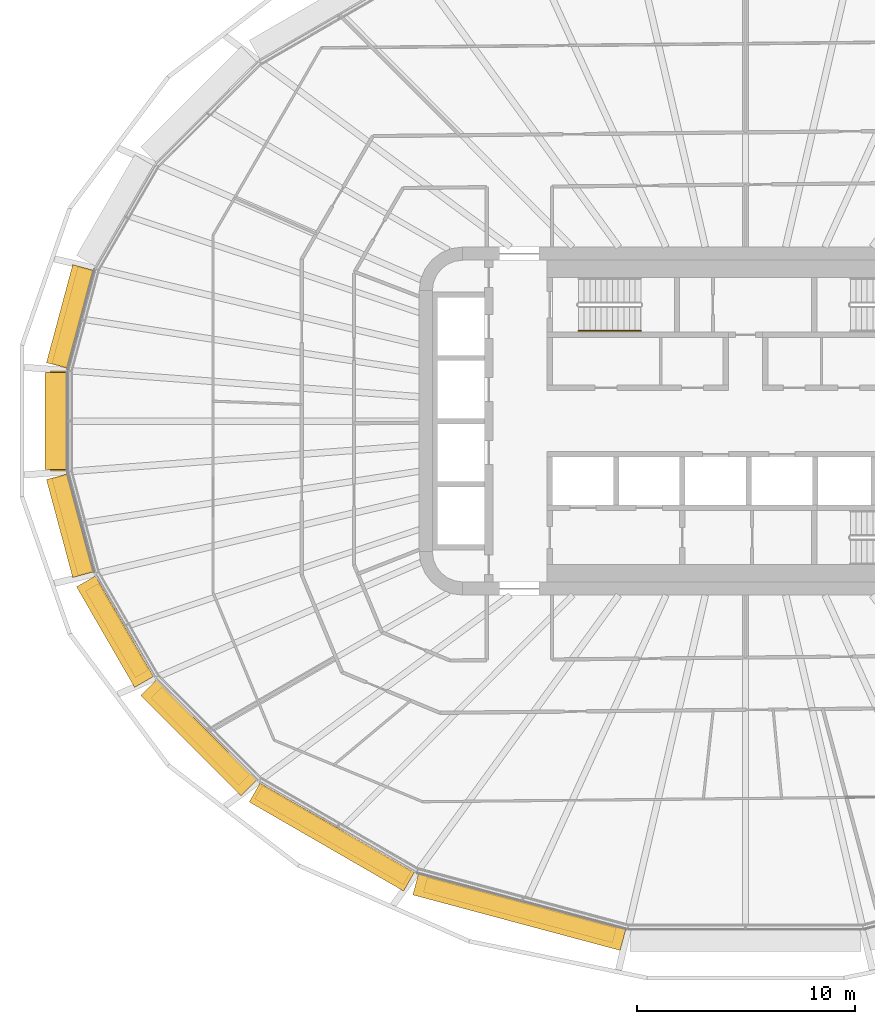
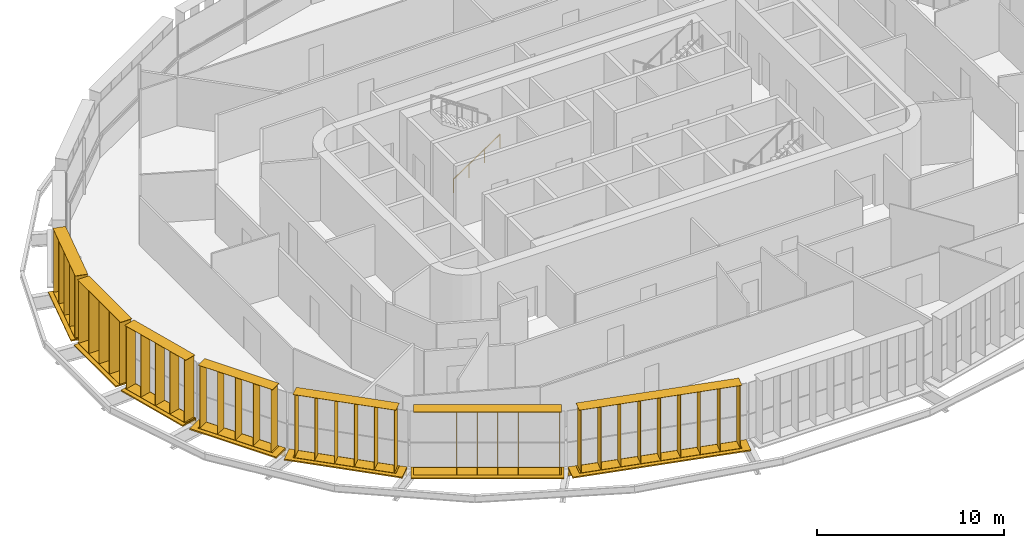
# One storey, part 19 of 24: 14 shading devices, 1 railing.
"""IFC4 building model written with IfcOpenShell, lengths in metres."""

from ifc_helpers import new_model, si_unit, direction, frame, origin, origin_2d, place, context, subcontext, project, spatial, rectangle, circle, extrude, material, type_object, element, save


model = new_model("IFC4")

# Units and contexts
model_context = context("Model", 3, precision=1e-05, world=origin(), true_north=direction((0.0, 1.0)))
body_context = subcontext(model_context, "Body", "Model", "MODEL_VIEW")
ifc_project = project(units=[si_unit("LENGTHUNIT", "METRE"), si_unit("AREAUNIT", "SQUARE_METRE"), si_unit("VOLUMEUNIT", "CUBIC_METRE"), si_unit("PLANEANGLEUNIT", "RADIAN"), si_unit("MASSUNIT", "GRAM", prefix="KILO")], contexts=[model_context])

# Site, building, storey
site_placement = place(None, origin())
site = spatial("IfcSite", under=ifc_project, at=site_placement, CompositionType="ELEMENT")
building_placement = place(site_placement, origin())
building = spatial("IfcBuilding", under=site, at=building_placement, Name="Sahrelin Media Tower", CompositionType="ELEMENT")
storey_placement = place(building_placement, frame((0.0, 0.0, 71.39990234375)))
storey = spatial("IfcBuildingStorey", under=building, at=storey_placement, Name="L12", CompositionType="ELEMENT", Elevation=71.39990234375)

# Shading devices
ifc_material_1 = material(Name="Champagne anodised aluminium 6063-T6", Category="aluminium")
shading_device_type_1 = type_object("IfcShadingDeviceType", Name="Fin cassette", PredefinedType="USERDEFINED", material=ifc_material_1)
placement_1 = place(storey_placement, frame((-30.54736328125, 4.67333984375, 0.0), z_axis=(0.0, 0.0, 1.0), x_axis=(0.258807731996, 0.965928857556, 0.0)))
element("IfcShadingDevice", 1, at=placement_1, inside=storey, type_object=shading_device_type_1, Name="L12:FIN:L12-11", ObjectType="FIN", PredefinedType="USERDEFINED", context=body_context, shape_type="SweptSolid", body=[
    extrude(rectangle(XDim=4.60009765625, YDim=0.699951171875, at=origin_2d()), frame((0.0, 0.419921875, 0.0)), (0.0, 0.0, 1.0), 0.02001953125),
    extrude(rectangle(XDim=4.60009765625, YDim=0.699951171875, at=origin_2d()), frame((0.0, 0.419921875, 4.10009765625)), (0.0, 0.0, 1.0), 0.02001953125),
    extrude(rectangle(XDim=0.02001953125, YDim=0.699951171875, at=origin_2d()), frame((-2.199951171875, 0.419921875, 0.010009765625), z_axis=(0.0, 0.0, 1.0), x_axis=(1.0, 0.0, 0.0)), (0.0, 0.0, 1.0), 4.10009765625),
    extrude(rectangle(XDim=0.02001953125, YDim=0.699951171875, at=origin_2d()), frame((-1.10009765625, 0.419921875, 0.010009765625), z_axis=(0.0, 0.0, 1.0), x_axis=(1.0, 0.0, 0.0)), (0.0, 0.0, 1.0), 4.10009765625),
    extrude(rectangle(XDim=0.02001953125, YDim=0.699951171875, at=origin_2d()), frame((0.0, 0.419921875, 0.010009765625), z_axis=(0.0, 0.0, 1.0), x_axis=(1.0, 0.0, 0.0)), (0.0, 0.0, 1.0), 4.10009765625),
    extrude(rectangle(XDim=0.02001953125, YDim=0.699951171875, at=origin_2d()), frame((1.10009765625, 0.419921875, 0.010009765625), z_axis=(0.0, 0.0, 1.0), x_axis=(1.0, 0.0, 0.0)), (0.0, 0.0, 1.0), 4.10009765625),
    extrude(rectangle(XDim=0.02001953125, YDim=0.699951171875, at=origin_2d()), frame((2.199951171875, 0.419921875, 0.010009765625), z_axis=(0.0, 0.0, 1.0), x_axis=(1.0, 0.0, 0.0)), (0.0, 0.0, 1.0), 4.10009765625),
])
placement_2 = place(storey_placement, frame((-31.1767578125, 0.0, 0.0), z_axis=(0.0, 0.0, 1.0), x_axis=(0.0, 1.0, 0.0)))
element("IfcShadingDevice", 2, at=placement_2, inside=storey, type_object=shading_device_type_1, Name="L12:FIN:L12-12", ObjectType="FIN", PredefinedType="USERDEFINED", context=body_context, shape_type="SweptSolid", body=[
    extrude(rectangle(XDim=4.60009765625, YDim=0.699951171875, at=origin_2d()), frame((0.0, 0.419921875, 0.0)), (0.0, 0.0, 1.0), 0.02001953125),
    extrude(rectangle(XDim=4.60009765625, YDim=0.699951171875, at=origin_2d()), frame((0.0, 0.419921875, 4.10009765625)), (0.0, 0.0, 1.0), 0.02001953125),
    extrude(rectangle(XDim=0.02001953125, YDim=0.699951171875, at=origin_2d()), frame((-2.199951171875, 0.419921875, 0.010009765625), z_axis=(0.0, 0.0, 1.0), x_axis=(1.0, 0.0, 0.0)), (0.0, 0.0, 1.0), 4.10009765625),
    extrude(rectangle(XDim=0.02001953125, YDim=0.699951171875, at=origin_2d()), frame((-1.10009765625, 0.419921875, 0.010009765625), z_axis=(0.0, 0.0, 1.0), x_axis=(1.0, 0.0, 0.0)), (0.0, 0.0, 1.0), 4.10009765625),
    extrude(rectangle(XDim=0.02001953125, YDim=0.699951171875, at=origin_2d()), frame((0.0, 0.419921875, 0.010009765625), z_axis=(0.0, 0.0, 1.0), x_axis=(1.0, 0.0, 0.0)), (0.0, 0.0, 1.0), 4.10009765625),
    extrude(rectangle(XDim=0.02001953125, YDim=0.699951171875, at=origin_2d()), frame((1.10009765625, 0.419921875, 0.010009765625), z_axis=(0.0, 0.0, 1.0), x_axis=(1.0, 0.0, 0.0)), (0.0, 0.0, 1.0), 4.10009765625),
    extrude(rectangle(XDim=0.02001953125, YDim=0.699951171875, at=origin_2d()), frame((2.199951171875, 0.419921875, 0.010009765625), z_axis=(0.0, 0.0, 1.0), x_axis=(1.0, 0.0, 0.0)), (0.0, 0.0, 1.0), 4.10009765625),
])
placement_3 = place(storey_placement, frame((-30.54736328125, -4.67333984375, 0.0), z_axis=(0.0, 0.0, 1.0), x_axis=(-0.258807731996, 0.965928857556, 0.0)))
element("IfcShadingDevice", 3, at=placement_3, inside=storey, type_object=shading_device_type_1, Name="L12:FIN:L12-13", ObjectType="FIN", PredefinedType="USERDEFINED", context=body_context, shape_type="SweptSolid", body=[
    extrude(rectangle(XDim=4.60009765625, YDim=0.699951171875, at=origin_2d()), frame((0.0, 0.419921875, 0.0)), (0.0, 0.0, 1.0), 0.02001953125),
    extrude(rectangle(XDim=4.60009765625, YDim=0.699951171875, at=origin_2d()), frame((0.0, 0.419921875, 4.10009765625)), (0.0, 0.0, 1.0), 0.02001953125),
    extrude(rectangle(XDim=0.02001953125, YDim=0.699951171875, at=origin_2d()), frame((-2.199951171875, 0.419921875, 0.010009765625), z_axis=(0.0, 0.0, 1.0), x_axis=(1.0, 0.0, 0.0)), (0.0, 0.0, 1.0), 4.10009765625),
    extrude(rectangle(XDim=0.02001953125, YDim=0.699951171875, at=origin_2d()), frame((-1.10009765625, 0.419921875, 0.010009765625), z_axis=(0.0, 0.0, 1.0), x_axis=(1.0, 0.0, 0.0)), (0.0, 0.0, 1.0), 4.10009765625),
    extrude(rectangle(XDim=0.02001953125, YDim=0.699951171875, at=origin_2d()), frame((0.0, 0.419921875, 0.010009765625), z_axis=(0.0, 0.0, 1.0), x_axis=(1.0, 0.0, 0.0)), (0.0, 0.0, 1.0), 4.10009765625),
    extrude(rectangle(XDim=0.02001953125, YDim=0.699951171875, at=origin_2d()), frame((1.10009765625, 0.419921875, 0.010009765625), z_axis=(0.0, 0.0, 1.0), x_axis=(1.0, 0.0, 0.0)), (0.0, 0.0, 1.0), 4.10009765625),
    extrude(rectangle(XDim=0.02001953125, YDim=0.699951171875, at=origin_2d()), frame((2.199951171875, 0.419921875, 0.010009765625), z_axis=(0.0, 0.0, 1.0), x_axis=(1.0, 0.0, 0.0)), (0.0, 0.0, 1.0), 4.10009765625),
])
placement_4 = place(storey_placement, frame((-28.5341796875, -9.4189453125, 0.0), z_axis=(0.0, 0.0, 1.0), x_axis=(-0.500011000363, 0.866019052629, 0.0)))
element("IfcShadingDevice", 4, at=placement_4, inside=storey, type_object=shading_device_type_1, Name="L12:FIN:L12-14", ObjectType="FIN", PredefinedType="USERDEFINED", context=body_context, shape_type="SweptSolid", body=[
    extrude(rectangle(XDim=4.60009765625, YDim=0.699951171875, at=origin_2d()), frame((0.0, 0.419921875, 0.0)), (0.0, 0.0, 1.0), 0.02001953125),
    extrude(rectangle(XDim=4.60009765625, YDim=0.699951171875, at=origin_2d()), frame((0.0, 0.419921875, 4.10009765625)), (0.0, 0.0, 1.0), 0.02001953125),
    extrude(rectangle(XDim=0.02001953125, YDim=0.699951171875, at=origin_2d()), frame((-2.199951171875, 0.419921875, 0.010009765625), z_axis=(0.0, 0.0, 1.0), x_axis=(1.0, 0.0, 0.0)), (0.0, 0.0, 1.0), 4.10009765625),
    extrude(rectangle(XDim=0.02001953125, YDim=0.699951171875, at=origin_2d()), frame((-1.10009765625, 0.419921875, 0.010009765625), z_axis=(0.0, 0.0, 1.0), x_axis=(1.0, 0.0, 0.0)), (0.0, 0.0, 1.0), 4.10009765625),
    extrude(rectangle(XDim=0.02001953125, YDim=0.699951171875, at=origin_2d()), frame((0.0, 0.419921875, 0.010009765625), z_axis=(0.0, 0.0, 1.0), x_axis=(1.0, 0.0, 0.0)), (0.0, 0.0, 1.0), 4.10009765625),
    extrude(rectangle(XDim=0.02001953125, YDim=0.699951171875, at=origin_2d()), frame((1.10009765625, 0.419921875, 0.010009765625), z_axis=(0.0, 0.0, 1.0), x_axis=(1.0, 0.0, 0.0)), (0.0, 0.0, 1.0), 4.10009765625),
    extrude(rectangle(XDim=0.02001953125, YDim=0.699951171875, at=origin_2d()), frame((2.199951171875, 0.419921875, 0.010009765625), z_axis=(0.0, 0.0, 1.0), x_axis=(1.0, 0.0, 0.0)), (0.0, 0.0, 1.0), 4.10009765625),
])
placement_5 = place(storey_placement, frame((-24.771484375, -14.195068359375, 0.0), z_axis=(0.0, 0.0, 1.0), x_axis=(-0.707106781187, 0.707106781187, 0.0)))
element("IfcShadingDevice", 5, at=placement_5, inside=storey, type_object=shading_device_type_1, Name="L12:FIN:L12-15", ObjectType="FIN", PredefinedType="USERDEFINED", context=body_context, shape_type="SweptSolid", body=[
    extrude(rectangle(XDim=5.699951171875, YDim=0.699951171875, at=origin_2d()), frame((0.0, 0.419921875, 0.0)), (0.0, 0.0, 1.0), 0.02001953125),
    extrude(rectangle(XDim=5.699951171875, YDim=0.699951171875, at=origin_2d()), frame((0.0, 0.419921875, 4.10009765625)), (0.0, 0.0, 1.0), 0.02001953125),
    extrude(rectangle(XDim=0.02001953125, YDim=0.699951171875, at=origin_2d()), frame((-2.75, 0.419921875, 0.010009765625), z_axis=(0.0, 0.0, 1.0), x_axis=(1.0, 0.0, 0.0)), (0.0, 0.0, 1.0), 4.10009765625),
    extrude(rectangle(XDim=0.02001953125, YDim=0.699951171875, at=origin_2d()), frame((-1.64990234375, 0.419921875, 0.010009765625), z_axis=(0.0, 0.0, 1.0), x_axis=(1.0, 0.0, 0.0)), (0.0, 0.0, 1.0), 4.10009765625),
    extrude(rectangle(XDim=0.02001953125, YDim=0.699951171875, at=origin_2d()), frame((-0.550048828125, 0.419921875, 0.010009765625), z_axis=(0.0, 0.0, 1.0), x_axis=(1.0, 0.0, 0.0)), (0.0, 0.0, 1.0), 4.10009765625),
    extrude(rectangle(XDim=0.02001953125, YDim=0.699951171875, at=origin_2d()), frame((0.550048828125, 0.419921875, 0.010009765625), z_axis=(0.0, 0.0, 1.0), x_axis=(1.0, 0.0, 0.0)), (0.0, 0.0, 1.0), 4.10009765625),
    extrude(rectangle(XDim=0.02001953125, YDim=0.699951171875, at=origin_2d()), frame((1.64990234375, 0.419921875, 0.010009765625), z_axis=(0.0, 0.0, 1.0), x_axis=(1.0, 0.0, 0.0)), (0.0, 0.0, 1.0), 4.10009765625),
    extrude(rectangle(XDim=0.02001953125, YDim=0.699951171875, at=origin_2d()), frame((2.75, 0.419921875, 0.010009765625), z_axis=(0.0, 0.0, 1.0), x_axis=(1.0, 0.0, 0.0)), (0.0, 0.0, 1.0), 4.10009765625),
])
placement_6 = place(storey_placement, frame((-18.75830078125, -18.672119140625, 0.0), z_axis=(0.0, 0.0, 1.0), x_axis=(-0.866019052629, 0.500011000363, 0.0)))
element("IfcShadingDevice", 6, at=placement_6, inside=storey, type_object=shading_device_type_1, Name="L12:FIN:L12-16", ObjectType="FIN", PredefinedType="USERDEFINED", context=body_context, shape_type="SweptSolid", body=[
    extrude(rectangle(XDim=7.89990234375, YDim=0.699951171875, at=origin_2d()), frame((0.0, 0.419921875, 0.0)), (0.0, 0.0, 1.0), 0.02001953125),
    extrude(rectangle(XDim=7.89990234375, YDim=0.699951171875, at=origin_2d()), frame((0.0, 0.419921875, 4.10009765625)), (0.0, 0.0, 1.0), 0.02001953125),
    extrude(rectangle(XDim=0.02001953125, YDim=0.699951171875, at=origin_2d()), frame((-3.85009765625, 0.419921875, 0.010009765625), z_axis=(0.0, 0.0, 1.0), x_axis=(1.0, 0.0, 0.0)), (0.0, 0.0, 1.0), 4.10009765625),
    extrude(rectangle(XDim=0.02001953125, YDim=0.699951171875, at=origin_2d()), frame((-2.75, 0.419921875, 0.010009765625), z_axis=(0.0, 0.0, 1.0), x_axis=(1.0, 0.0, 0.0)), (0.0, 0.0, 1.0), 4.10009765625),
    extrude(rectangle(XDim=0.02001953125, YDim=0.699951171875, at=origin_2d()), frame((-1.64990234375, 0.419921875, 0.010009765625), z_axis=(0.0, 0.0, 1.0), x_axis=(1.0, 0.0, 0.0)), (0.0, 0.0, 1.0), 4.10009765625),
    extrude(rectangle(XDim=0.02001953125, YDim=0.699951171875, at=origin_2d()), frame((-0.550048828125, 0.419921875, 0.010009765625), z_axis=(0.0, 0.0, 1.0), x_axis=(1.0, 0.0, 0.0)), (0.0, 0.0, 1.0), 4.10009765625),
    extrude(rectangle(XDim=0.02001953125, YDim=0.699951171875, at=origin_2d()), frame((0.550048828125, 0.419921875, 0.010009765625), z_axis=(0.0, 0.0, 1.0), x_axis=(1.0, 0.0, 0.0)), (0.0, 0.0, 1.0), 4.10009765625),
    extrude(rectangle(XDim=0.02001953125, YDim=0.699951171875, at=origin_2d()), frame((1.64990234375, 0.419921875, 0.010009765625), z_axis=(0.0, 0.0, 1.0), x_axis=(1.0, 0.0, 0.0)), (0.0, 0.0, 1.0), 4.10009765625),
    extrude(rectangle(XDim=0.02001953125, YDim=0.699951171875, at=origin_2d()), frame((2.75, 0.419921875, 0.010009765625), z_axis=(0.0, 0.0, 1.0), x_axis=(1.0, 0.0, 0.0)), (0.0, 0.0, 1.0), 4.10009765625),
    extrude(rectangle(XDim=0.02001953125, YDim=0.699951171875, at=origin_2d()), frame((3.85009765625, 0.419921875, 0.010009765625), z_axis=(0.0, 0.0, 1.0), x_axis=(1.0, 0.0, 0.0)), (0.0, 0.0, 1.0), 4.10009765625),
])
placement_7 = place(storey_placement, frame((-10.263916015625, -22.072509765625, 0.0), z_axis=(0.0, 0.0, 1.0), x_axis=(-0.965928857556, 0.258807731996, 0.0)))
element("IfcShadingDevice", 7, at=placement_7, inside=storey, type_object=shading_device_type_1, Name="L12:FIN:L12-17", ObjectType="FIN", PredefinedType="USERDEFINED", context=body_context, shape_type="SweptSolid", body=[
    extrude(rectangle(XDim=9.0, YDim=0.699951171875, at=origin_2d()), frame((0.0, 0.419921875, 0.0)), (0.0, 0.0, 1.0), 0.02001953125),
    extrude(rectangle(XDim=9.0, YDim=0.699951171875, at=origin_2d()), frame((0.0, 0.419921875, 4.10009765625)), (0.0, 0.0, 1.0), 0.02001953125),
    extrude(rectangle(XDim=0.02001953125, YDim=0.699951171875, at=origin_2d()), frame((-4.39990234375, 0.419921875, 0.010009765625), z_axis=(0.0, 0.0, 1.0), x_axis=(1.0, 0.0, 0.0)), (0.0, 0.0, 1.0), 4.10009765625),
    extrude(rectangle(XDim=0.02001953125, YDim=0.699951171875, at=origin_2d()), frame((-3.300048828125, 0.419921875, 0.010009765625), z_axis=(0.0, 0.0, 1.0), x_axis=(1.0, 0.0, 0.0)), (0.0, 0.0, 1.0), 4.10009765625),
    extrude(rectangle(XDim=0.02001953125, YDim=0.699951171875, at=origin_2d()), frame((-2.199951171875, 0.419921875, 0.010009765625), z_axis=(0.0, 0.0, 1.0), x_axis=(1.0, 0.0, 0.0)), (0.0, 0.0, 1.0), 4.10009765625),
    extrude(rectangle(XDim=0.02001953125, YDim=0.699951171875, at=origin_2d()), frame((-1.10009765625, 0.419921875, 0.010009765625), z_axis=(0.0, 0.0, 1.0), x_axis=(1.0, 0.0, 0.0)), (0.0, 0.0, 1.0), 4.10009765625),
    extrude(rectangle(XDim=0.02001953125, YDim=0.699951171875, at=origin_2d()), frame((0.0, 0.419921875, 0.010009765625), z_axis=(0.0, 0.0, 1.0), x_axis=(1.0, 0.0, 0.0)), (0.0, 0.0, 1.0), 4.10009765625),
    extrude(rectangle(XDim=0.02001953125, YDim=0.699951171875, at=origin_2d()), frame((1.10009765625, 0.419921875, 0.010009765625), z_axis=(0.0, 0.0, 1.0), x_axis=(1.0, 0.0, 0.0)), (0.0, 0.0, 1.0), 4.10009765625),
    extrude(rectangle(XDim=0.02001953125, YDim=0.699951171875, at=origin_2d()), frame((2.199951171875, 0.419921875, 0.010009765625), z_axis=(0.0, 0.0, 1.0), x_axis=(1.0, 0.0, 0.0)), (0.0, 0.0, 1.0), 4.10009765625),
    extrude(rectangle(XDim=0.02001953125, YDim=0.699951171875, at=origin_2d()), frame((3.300048828125, 0.419921875, 0.010009765625), z_axis=(0.0, 0.0, 1.0), x_axis=(1.0, 0.0, 0.0)), (0.0, 0.0, 1.0), 4.10009765625),
    extrude(rectangle(XDim=0.02001953125, YDim=0.699951171875, at=origin_2d()), frame((4.39990234375, 0.419921875, 0.010009765625), z_axis=(0.0, 0.0, 1.0), x_axis=(1.0, 0.0, 0.0)), (0.0, 0.0, 1.0), 4.10009765625),
])

# Railing
ifc_material_2 = material(Name="Steel S355", Category="steel")
railing_type = type_object("IfcRailingType", Name="Stair handrail 900", PredefinedType="HANDRAIL", material=ifc_material_2)
railing_placement = place(storey_placement, frame((-7.675048828125, 4.14990234375, 0.175048828125)))
element("IfcRailing", 8, at=railing_placement, inside=storey, type_object=railing_type, Name="L12 ST1 stair handrail 1", PredefinedType="HANDRAIL", context=body_context, shape_type="SweptSolid", body=[
    extrude(circle(Radius=0.02392578125, at=origin_2d()), frame((0.0, 0.0, 0.8759765625), z_axis=(0.829590901723, 0.0, 0.558371682465), x_axis=(0.0, 1.0, 0.0)), (0.0, 0.0, 1.0), 3.447509765625),
    extrude(circle(Radius=0.02099609375, at=origin_2d()), origin(), (0.0, 0.0, 1.0), 0.851806640625),
    extrude(circle(Radius=0.02099609375, at=origin_2d()), frame((0.953369140625, 0.0, 0.6416015625)), (0.0, 0.0, 1.0), 0.851806640625),
    extrude(circle(Radius=0.02099609375, at=origin_2d()), frame((1.90673828125, 0.0, 1.283447265625)), (0.0, 0.0, 1.0), 0.851806640625),
    extrude(circle(Radius=0.02099609375, at=origin_2d()), frame((2.860107421875, 0.0, 1.925048828125)), (0.0, 0.0, 1.0), 0.851806640625),
])

# Shading devices
shading_device_type_2 = type_object("IfcShadingDeviceType", Name="Sunshade band", PredefinedType="USERDEFINED", material=ifc_material_1)
element("IfcShadingDevice", 9, at=placement_1, inside=storey, type_object=shading_device_type_2, Name="L12:SUN:L12-11", ObjectType="SUNSHADE", PredefinedType="USERDEFINED", context=body_context, shape_type="SweptSolid", body=[
    extrude(rectangle(XDim=4.6630859375, YDim=0.050048828125, at=origin_2d()), frame((0.0, 0.044921875, -0.55126953125)), (0.0, 0.0, 1.0), 0.471435546875),
    extrude(rectangle(XDim=4.6630859375, YDim=1.0, at=origin_2d()), frame((0.0, 0.52001953125, -0.080078125)), (0.0, 0.0, 1.0), 0.080078125),
    extrude(rectangle(XDim=0.10009765625, YDim=0.074951171875, at=origin_2d()), frame((-2.2314453125, -0.017578125, -0.47021484375)), (0.0, 0.0, 1.0), 0.300048828125),
    extrude(rectangle(XDim=0.10009765625, YDim=0.074951171875, at=origin_2d()), frame((-0.743896484375, -0.017578125, -0.47021484375)), (0.0, 0.0, 1.0), 0.300048828125),
    extrude(rectangle(XDim=0.10009765625, YDim=0.074951171875, at=origin_2d()), frame((0.743896484375, -0.017578125, -0.47021484375)), (0.0, 0.0, 1.0), 0.300048828125),
    extrude(rectangle(XDim=0.10009765625, YDim=0.074951171875, at=origin_2d()), frame((2.2314453125, -0.017578125, -0.47021484375)), (0.0, 0.0, 1.0), 0.300048828125),
])
element("IfcShadingDevice", 10, at=placement_2, inside=storey, type_object=shading_device_type_2, Name="L12:SUN:L12-12", ObjectType="SUNSHADE", PredefinedType="USERDEFINED", context=body_context, shape_type="SweptSolid", body=[
    extrude(rectangle(XDim=4.449462890625, YDim=0.050048828125, at=origin_2d()), frame((0.0, 0.044921875, -0.55126953125)), (0.0, 0.0, 1.0), 0.471435546875),
    extrude(rectangle(XDim=4.449462890625, YDim=1.0, at=origin_2d()), frame((0.0, 0.52001953125, -0.080078125)), (0.0, 0.0, 1.0), 0.080078125),
    extrude(rectangle(XDim=0.10009765625, YDim=0.074951171875, at=origin_2d()), frame((-2.124755859375, -0.017578125, -0.47021484375)), (0.0, 0.0, 1.0), 0.300048828125),
    extrude(rectangle(XDim=0.10009765625, YDim=0.074951171875, at=origin_2d()), frame((-0.708251953125, -0.017578125, -0.47021484375)), (0.0, 0.0, 1.0), 0.300048828125),
    extrude(rectangle(XDim=0.10009765625, YDim=0.074951171875, at=origin_2d()), frame((0.708251953125, -0.017578125, -0.47021484375)), (0.0, 0.0, 1.0), 0.300048828125),
    extrude(rectangle(XDim=0.10009765625, YDim=0.074951171875, at=origin_2d()), frame((2.124755859375, -0.017578125, -0.47021484375)), (0.0, 0.0, 1.0), 0.300048828125),
])
element("IfcShadingDevice", 11, at=placement_3, inside=storey, type_object=shading_device_type_2, Name="L12:SUN:L12-13", ObjectType="SUNSHADE", PredefinedType="USERDEFINED", context=body_context, shape_type="SweptSolid", body=[
    extrude(rectangle(XDim=4.6630859375, YDim=0.050048828125, at=origin_2d()), frame((0.0, 0.044921875, -0.55126953125)), (0.0, 0.0, 1.0), 0.471435546875),
    extrude(rectangle(XDim=4.6630859375, YDim=1.0, at=origin_2d()), frame((0.0, 0.52001953125, -0.080078125)), (0.0, 0.0, 1.0), 0.080078125),
    extrude(rectangle(XDim=0.10009765625, YDim=0.074951171875, at=origin_2d()), frame((-2.2314453125, -0.017578125, -0.47021484375)), (0.0, 0.0, 1.0), 0.300048828125),
    extrude(rectangle(XDim=0.10009765625, YDim=0.074951171875, at=origin_2d()), frame((-0.743896484375, -0.017578125, -0.47021484375)), (0.0, 0.0, 1.0), 0.300048828125),
    extrude(rectangle(XDim=0.10009765625, YDim=0.074951171875, at=origin_2d()), frame((0.743896484375, -0.017578125, -0.47021484375)), (0.0, 0.0, 1.0), 0.300048828125),
    extrude(rectangle(XDim=0.10009765625, YDim=0.074951171875, at=origin_2d()), frame((2.2314453125, -0.017578125, -0.47021484375)), (0.0, 0.0, 1.0), 0.300048828125),
])
element("IfcShadingDevice", 12, at=placement_4, inside=storey, type_object=shading_device_type_2, Name="L12:SUN:L12-14", ObjectType="SUNSHADE", PredefinedType="USERDEFINED", context=body_context, shape_type="SweptSolid", body=[
    extrude(rectangle(XDim=5.33544921875, YDim=0.050048828125, at=origin_2d()), frame((0.0, 0.044921875, -0.55126953125)), (0.0, 0.0, 1.0), 0.471435546875),
    extrude(rectangle(XDim=5.33544921875, YDim=1.0, at=origin_2d()), frame((0.0, 0.52001953125, -0.080078125)), (0.0, 0.0, 1.0), 0.080078125),
    extrude(rectangle(XDim=0.10009765625, YDim=0.074951171875, at=origin_2d()), frame((-2.567626953125, -0.017578125, -0.47021484375)), (0.0, 0.0, 1.0), 0.300048828125),
    extrude(rectangle(XDim=0.10009765625, YDim=0.074951171875, at=origin_2d()), frame((-0.85595703125, -0.017578125, -0.47021484375)), (0.0, 0.0, 1.0), 0.300048828125),
    extrude(rectangle(XDim=0.10009765625, YDim=0.074951171875, at=origin_2d()), frame((0.85595703125, -0.017578125, -0.47021484375)), (0.0, 0.0, 1.0), 0.300048828125),
    extrude(rectangle(XDim=0.10009765625, YDim=0.074951171875, at=origin_2d()), frame((2.567626953125, -0.017578125, -0.47021484375)), (0.0, 0.0, 1.0), 0.300048828125),
])
element("IfcShadingDevice", 13, at=placement_5, inside=storey, type_object=shading_device_type_2, Name="L12:SUN:L12-15", ObjectType="SUNSHADE", PredefinedType="USERDEFINED", context=body_context, shape_type="SweptSolid", body=[
    extrude(rectangle(XDim=6.529052734375, YDim=0.050048828125, at=origin_2d()), frame((0.0, 0.044921875, -0.55126953125)), (0.0, 0.0, 1.0), 0.471435546875),
    extrude(rectangle(XDim=6.529052734375, YDim=1.0, at=origin_2d()), frame((0.0, 0.52001953125, -0.080078125)), (0.0, 0.0, 1.0), 0.080078125),
    extrude(rectangle(XDim=0.10009765625, YDim=0.074951171875, at=origin_2d()), frame((-3.16455078125, -0.017578125, -0.47021484375)), (0.0, 0.0, 1.0), 0.300048828125),
    extrude(rectangle(XDim=0.10009765625, YDim=0.074951171875, at=origin_2d()), frame((-1.582275390625, -0.017578125, -0.47021484375)), (0.0, 0.0, 1.0), 0.300048828125),
    extrude(rectangle(XDim=0.10009765625, YDim=0.074951171875, at=origin_2d()), frame((0.0, -0.017578125, -0.47021484375)), (0.0, 0.0, 1.0), 0.300048828125),
    extrude(rectangle(XDim=0.10009765625, YDim=0.074951171875, at=origin_2d()), frame((1.582275390625, -0.017578125, -0.47021484375)), (0.0, 0.0, 1.0), 0.300048828125),
    extrude(rectangle(XDim=0.10009765625, YDim=0.074951171875, at=origin_2d()), frame((3.16455078125, -0.017578125, -0.47021484375)), (0.0, 0.0, 1.0), 0.300048828125),
])
element("IfcShadingDevice", 14, at=placement_6, inside=storey, type_object=shading_device_type_2, Name="L12:SUN:L12-16", ObjectType="SUNSHADE", PredefinedType="USERDEFINED", context=body_context, shape_type="SweptSolid", body=[
    extrude(rectangle(XDim=8.1923828125, YDim=0.050048828125, at=origin_2d()), frame((0.0, 0.044921875, -0.55126953125)), (0.0, 0.0, 1.0), 0.471435546875),
    extrude(rectangle(XDim=8.1923828125, YDim=1.0, at=origin_2d()), frame((0.0, 0.52001953125, -0.080078125)), (0.0, 0.0, 1.0), 0.080078125),
    extrude(rectangle(XDim=0.10009765625, YDim=0.074951171875, at=origin_2d()), frame((-3.99609375, -0.017578125, -0.47021484375)), (0.0, 0.0, 1.0), 0.300048828125),
    extrude(rectangle(XDim=0.10009765625, YDim=0.074951171875, at=origin_2d()), frame((-2.397705078125, -0.017578125, -0.47021484375)), (0.0, 0.0, 1.0), 0.300048828125),
    extrude(rectangle(XDim=0.10009765625, YDim=0.074951171875, at=origin_2d()), frame((-0.79931640625, -0.017578125, -0.47021484375)), (0.0, 0.0, 1.0), 0.300048828125),
    extrude(rectangle(XDim=0.10009765625, YDim=0.074951171875, at=origin_2d()), frame((0.79931640625, -0.017578125, -0.47021484375)), (0.0, 0.0, 1.0), 0.300048828125),
    extrude(rectangle(XDim=0.10009765625, YDim=0.074951171875, at=origin_2d()), frame((2.397705078125, -0.017578125, -0.47021484375)), (0.0, 0.0, 1.0), 0.300048828125),
    extrude(rectangle(XDim=0.10009765625, YDim=0.074951171875, at=origin_2d()), frame((3.99609375, -0.017578125, -0.47021484375)), (0.0, 0.0, 1.0), 0.300048828125),
])
element("IfcShadingDevice", 15, at=placement_7, inside=storey, type_object=shading_device_type_2, Name="L12:SUN:L12-17", ObjectType="SUNSHADE", PredefinedType="USERDEFINED", context=body_context, shape_type="SweptSolid", body=[
    extrude(rectangle(XDim=9.86328125, YDim=0.050048828125, at=origin_2d()), frame((0.0, 0.044921875, -0.55126953125)), (0.0, 0.0, 1.0), 0.471435546875),
    extrude(rectangle(XDim=9.86328125, YDim=1.0, at=origin_2d()), frame((0.0, 0.52001953125, -0.080078125)), (0.0, 0.0, 1.0), 0.080078125),
    extrude(rectangle(XDim=0.10009765625, YDim=0.074951171875, at=origin_2d()), frame((-4.831787109375, -0.017578125, -0.47021484375)), (0.0, 0.0, 1.0), 0.300048828125),
    extrude(rectangle(XDim=0.10009765625, YDim=0.074951171875, at=origin_2d()), frame((-2.89892578125, -0.017578125, -0.47021484375)), (0.0, 0.0, 1.0), 0.300048828125),
    extrude(rectangle(XDim=0.10009765625, YDim=0.074951171875, at=origin_2d()), frame((-0.96630859375, -0.017578125, -0.47021484375)), (0.0, 0.0, 1.0), 0.300048828125),
    extrude(rectangle(XDim=0.10009765625, YDim=0.074951171875, at=origin_2d()), frame((0.96630859375, -0.017578125, -0.47021484375)), (0.0, 0.0, 1.0), 0.300048828125),
    extrude(rectangle(XDim=0.10009765625, YDim=0.074951171875, at=origin_2d()), frame((2.89892578125, -0.017578125, -0.47021484375)), (0.0, 0.0, 1.0), 0.300048828125),
    extrude(rectangle(XDim=0.10009765625, YDim=0.074951171875, at=origin_2d()), frame((4.831787109375, -0.017578125, -0.47021484375)), (0.0, 0.0, 1.0), 0.300048828125),
])

save(model, "model.ifc")
